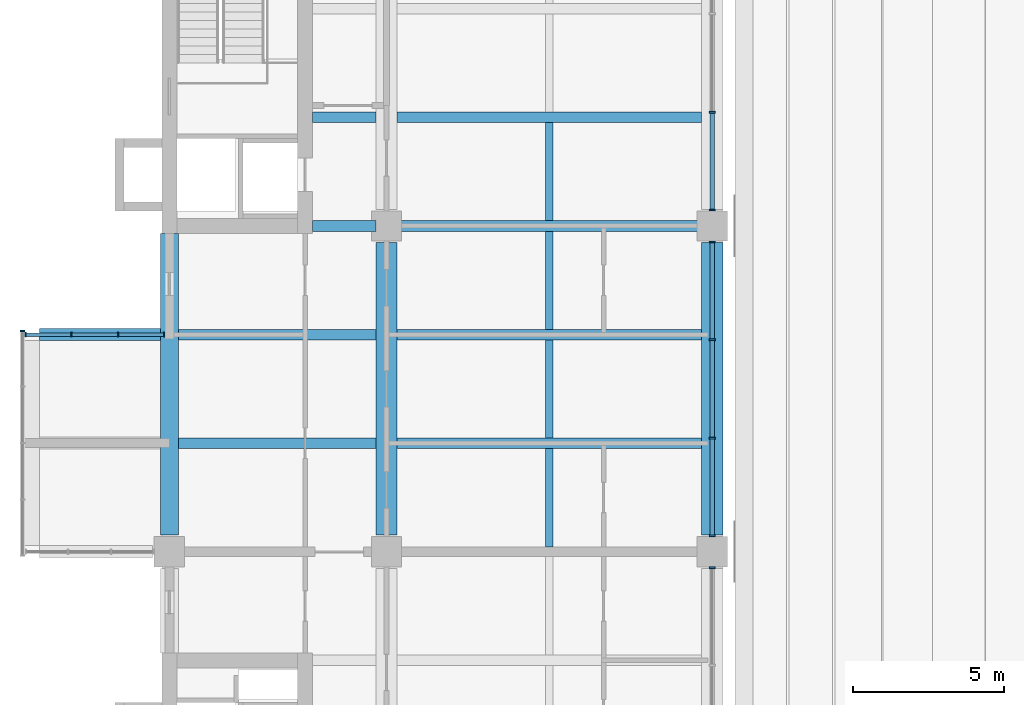
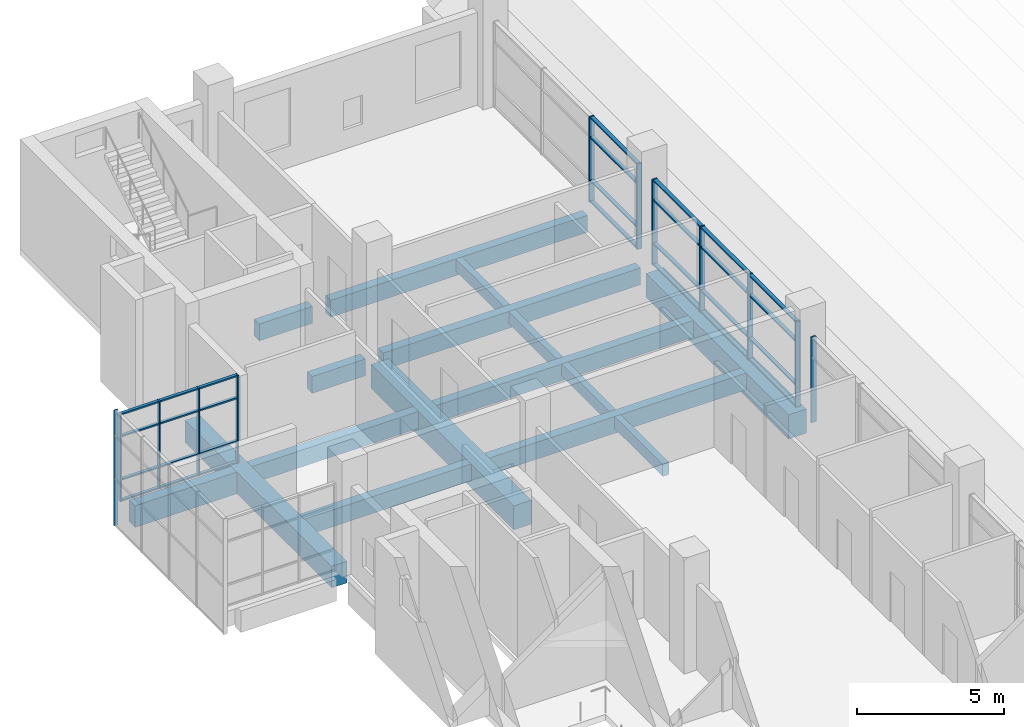
# One storey, part 11 of 45: 40 members, 16 beams, 5 elements without a shape of their own.
"""IFC4 building model written with IfcOpenShell, lengths in metres."""

from ifc_helpers import new_model, si_unit, direction, frame, origin, origin_2d, place, context, subcontext, project, spatial, rectangle, extrude, material, layer, layer_set, material_profile, profile_set, type_object, element, aggregate, save


model = new_model("IFC4")

# Units and contexts
model_context = context("Model", 3, precision=1e-05, world=origin(), true_north=direction((0.0, 1.0)))
body_context = subcontext(model_context, "Body", "Model", "MODEL_VIEW")
ifc_project = project(units=[si_unit("LENGTHUNIT", "METRE"), si_unit("AREAUNIT", "SQUARE_METRE"), si_unit("VOLUMEUNIT", "CUBIC_METRE"), si_unit("PLANEANGLEUNIT", "RADIAN"), si_unit("MASSUNIT", "GRAM", prefix="KILO")], contexts=[model_context])

# Site, building, storey
site_placement = place(None, origin())
site = spatial("IfcSite", under=ifc_project, at=site_placement, CompositionType="ELEMENT")
building_placement = place(site_placement, origin())
building = spatial("IfcBuilding", under=site, at=building_placement, Name="Basin Gate Institute", CompositionType="ELEMENT")
storey_placement = place(building_placement, frame((0.0, 0.0, 22.199951171875)))
storey = spatial("IfcBuildingStorey", under=building, at=storey_placement, Name="L04", CompositionType="ELEMENT", Elevation=22.199951171875)

# Beams
ifc_material_1 = material(Name="Concrete 40 MPa", Category="concrete")
ifc_material_profile_1 = material_profile(ifc_material_1, rectangle(XDim=0.35009765625, YDim=0.699951171875, at=origin_2d()), Name="Beam B1 350 x 700")
ifc_profile_set_1 = profile_set([ifc_material_profile_1], Name="Concrete 40 MPa")
beam_type_1 = type_object("IfcBeamType", Name="Beam B1 R120", PredefinedType="BEAM", material=ifc_profile_set_1)
beam_1_placement = place(storey_placement, frame((68.75, 81.89990234375, -0.599853515625), z_axis=(1.0, 0.0, 0.0), x_axis=(0.0, 1.0, 0.0)))
element("IfcBeam", 1, at=beam_1_placement, inside=storey, type_object=beam_type_1, material=ifc_profile_set_1, Name="BEAM/L04/W/EW/14", PredefinedType="BEAM", context=body_context, shape_type="SweptSolid", body=[
    extrude(rectangle(XDim=0.35009765625, YDim=0.699951171875, at=origin_2d()), origin(), (0.0, 0.0, 1.0), 10.10009765625),
])
beam_2_placement = place(storey_placement, frame((61.5, 81.89990234375, -0.599853515625), z_axis=(1.0, 0.0, 0.0), x_axis=(0.0, 1.0, 0.0)))
element("IfcBeam", 2, at=beam_2_placement, inside=storey, type_object=beam_type_1, material=ifc_profile_set_1, Name="BEAM/L04/W/OUT/14", PredefinedType="BEAM", context=body_context, shape_type="SweptSolid", body=[
    extrude(rectangle(XDim=0.35009765625, YDim=0.699951171875, at=origin_2d()), origin(), (0.0, 0.0, 1.0), 6.550048828125),
])
beam_3_placement = place(storey_placement, frame((68.75, 85.5, -0.599853515625), z_axis=(1.0, 0.0, 0.0), x_axis=(0.0, 1.0, 0.0)))
element("IfcBeam", 3, at=beam_3_placement, inside=storey, type_object=beam_type_1, material=ifc_profile_set_1, Name="BEAM/L04/W/EW/15", PredefinedType="BEAM", context=body_context, shape_type="SweptSolid", body=[
    extrude(rectangle(XDim=0.35009765625, YDim=0.699951171875, at=origin_2d()), origin(), (0.0, 0.0, 1.0), 10.10009765625),
])
beam_4_placement = place(storey_placement, frame((61.5, 85.5, -0.599853515625), z_axis=(1.0, 0.0, 0.0), x_axis=(0.0, 1.0, 0.0)))
element("IfcBeam", 4, at=beam_4_placement, inside=storey, type_object=beam_type_1, material=ifc_profile_set_1, Name="BEAM/L04/W/OUT/15", PredefinedType="BEAM", context=body_context, shape_type="SweptSolid", body=[
    extrude(rectangle(XDim=0.35009765625, YDim=0.699951171875, at=origin_2d()), origin(), (0.0, 0.0, 1.0), 6.550048828125),
])
beam_5_placement = place(storey_placement, frame((68.75, 89.10009765625, -0.599853515625), z_axis=(1.0, 0.0, 0.0), x_axis=(0.0, 1.0, 0.0)))
element("IfcBeam", 5, at=beam_5_placement, inside=storey, type_object=beam_type_1, material=ifc_profile_set_1, Name="BEAM/L04/W/EW/16", PredefinedType="BEAM", context=body_context, shape_type="SweptSolid", body=[
    extrude(rectangle(XDim=0.35009765625, YDim=0.699951171875, at=origin_2d()), origin(), (0.0, 0.0, 1.0), 10.10009765625),
])
beam_6_placement = place(storey_placement, frame((65.949951171875, 89.10009765625, -0.599853515625), z_axis=(1.0, 0.0, 0.0), x_axis=(0.0, 1.0, 0.0)))
element("IfcBeam", 6, at=beam_6_placement, inside=storey, type_object=beam_type_1, material=ifc_profile_set_1, Name="BEAM/L04/W/CORR/16", PredefinedType="BEAM", context=body_context, shape_type="SweptSolid", body=[
    extrude(rectangle(XDim=0.35009765625, YDim=0.699951171875, at=origin_2d()), origin(), (0.0, 0.0, 1.0), 2.10009765625),
])
beam_7_placement = place(storey_placement, frame((68.75, 92.699951171875, -0.599853515625), z_axis=(1.0, 0.0, 0.0), x_axis=(0.0, 1.0, 0.0)))
element("IfcBeam", 7, at=beam_7_placement, inside=storey, type_object=beam_type_1, material=ifc_profile_set_1, Name="BEAM/L04/W/EW/17", PredefinedType="BEAM", context=body_context, shape_type="SweptSolid", body=[
    extrude(rectangle(XDim=0.35009765625, YDim=0.699951171875, at=origin_2d()), origin(), (0.0, 0.0, 1.0), 10.10009765625),
])
beam_8_placement = place(storey_placement, frame((65.949951171875, 92.699951171875, -0.599853515625), z_axis=(1.0, 0.0, 0.0), x_axis=(0.0, 1.0, 0.0)))
element("IfcBeam", 8, at=beam_8_placement, inside=storey, type_object=beam_type_1, material=ifc_profile_set_1, Name="BEAM/L04/W/CORR/17", PredefinedType="BEAM", context=body_context, shape_type="SweptSolid", body=[
    extrude(rectangle(XDim=0.35009765625, YDim=0.699951171875, at=origin_2d()), origin(), (0.0, 0.0, 1.0), 2.10009765625),
])
ifc_material_2 = material(Name="Concrete 50 MPa", Category="concrete")
ifc_material_profile_2 = material_profile(ifc_material_2, rectangle(XDim=0.39990234375, YDim=0.89990234375, at=origin_2d()), Name="Cantilever beam B3 400 x 900")
ifc_profile_set_2 = profile_set([ifc_material_profile_2], Name="Concrete 50 MPa")
beam_type_2 = type_object("IfcBeamType", Name="Cantilever beam B3 R120", PredefinedType="BEAM", material=ifc_profile_set_2)
beam_9_placement = place(storey_placement, frame((56.89990234375, 85.5, -0.699951171875), z_axis=(1.0, 0.0, 0.0), x_axis=(0.0, 1.0, 0.0)))
element("IfcBeam", 9, at=beam_9_placement, inside=storey, type_object=beam_type_2, material=ifc_profile_set_2, Name="BEAM/L04/W/CANT/15", PredefinedType="BEAM", context=body_context, shape_type="SweptSolid", body=[
    extrude(rectangle(XDim=0.39990234375, YDim=0.89990234375, at=origin_2d()), origin(), (0.0, 0.0, 1.0), 4.0),
])
ifc_material_3 = material(Name="Concrete 50 MPa", Category="concrete")
ifc_material_profile_3 = material_profile(ifc_material_3, rectangle(XDim=0.60009765625, YDim=0.89990234375, at=origin_2d()), Name="Edge beam EB1 600 x 900")
ifc_profile_set_3 = profile_set([ifc_material_profile_3], Name="Concrete 50 MPa")
beam_type_3 = type_object("IfcBeamType", Name="Edge beam EB1 R120", PredefinedType="SPANDREL", material=ifc_profile_set_3)
beam_10_placement = place(storey_placement, frame((61.199951171875, 78.85009765625, -0.699951171875), z_axis=(0.0, 1.0, 0.0), x_axis=(-1.0, 0.0, 0.0)))
element("IfcBeam", 10, at=beam_10_placement, inside=storey, type_object=beam_type_3, material=ifc_profile_set_3, Name="BEAM/L04/W/EDGE/4", PredefinedType="SPANDREL", context=body_context, shape_type="SweptSolid", body=[
    extrude(rectangle(XDim=0.60009765625, YDim=0.89990234375, at=origin_2d()), origin(), (0.0, 0.0, 1.0), 10.0),
])
ifc_material_4 = material(Name="Concrete 50 MPa", Category="concrete")
ifc_material_profile_4 = material_profile(ifc_material_4, rectangle(XDim=0.699951171875, YDim=1.0, at=origin_2d()), Name="Girder G1 700 x 1000")
ifc_profile_set_4 = profile_set([ifc_material_profile_4], Name="Concrete 50 MPa")
beam_type_4 = type_object("IfcBeamType", Name="Girder G1 R120", PredefinedType="BEAM", material=ifc_profile_set_4)
for number, where, z_axis, x_axis, name in (
    (11, (68.39990234375, 78.85009765625, -0.75), (0.0, 1.0, 0.0), (-1.0, 0.0, 0.0), "GIR/L04/W5/5"),
    (12, (79.199951171875, 78.85009765625, -0.75), (0.0, 1.0, 0.0), (-1.0, 0.0, 0.0), "GIR/L04/W6/5"),
):
    element("IfcBeam", number, at=place(storey_placement, frame(where, z_axis=z_axis, x_axis=x_axis)), inside=storey, type_object=beam_type_4, material=ifc_profile_set_4, Name=name, PredefinedType="BEAM", context=body_context, shape_type="SweptSolid", body=[
        extrude(rectangle(XDim=0.699951171875, YDim=1.0, at=origin_2d()), origin(), (0.0, 0.0, 1.0), 9.699951171875),
    ])

# Curtain wall, members
ifc_material_5 = material(Name="Aluminium-framed glazing", Category="aluminium")
ifc_layer_1 = layer(ifc_material_5, 0.14990234375)
ifc_layer_set_1 = layer_set([ifc_layer_1], Name="Capsule front curtain wall CW1")
curtain_wall_type_1 = type_object("IfcCurtainWallType", Name="Capsule front curtain wall CW1", PredefinedType="NOTDEFINED", material=ifc_layer_set_1)
curtain_wall_1_placement = place(storey_placement, origin())
curtain_wall_1 = element("IfcCurtainWall", 13, at=curtain_wall_1_placement, inside=storey, type_object=curtain_wall_type_1, material=ifc_layer_set_1, Name="Capsule front curtain wall W wing capsule end L04 line 15", PredefinedType="NOTDEFINED")
ifc_material_6 = material(Name="Aluminium", Category="aluminium")
ifc_material_profile_5 = material_profile(ifc_material_6, rectangle(XDim=0.14990234375, YDim=0.050048828125, at=origin_2d()), Name="Mullion MU1 150 x 50")
ifc_profile_set_5 = profile_set([ifc_material_profile_5], Name="Aluminium")
member_type_1 = type_object("IfcMemberType", Name="Mullion MU1", PredefinedType="MULLION", material=ifc_profile_set_5)
member_1_placement = place(storey_placement, frame((56.425048828125, 85.5, 0.0), z_axis=(0.0, 0.0, 1.0), x_axis=(0.0, 1.0, 0.0)))
member_1 = element("IfcMember", 14, at=member_1_placement, type_object=member_type_1, material=ifc_profile_set_5, Name="CW1 mullion 1", PredefinedType="MULLION", context=body_context, shape_type="SweptSolid", body=[
    extrude(rectangle(XDim=0.14990234375, YDim=0.050048828125, at=origin_2d()), origin(), (0.0, 0.0, 1.0), 3.650146484375),
])
member_2_placement = place(storey_placement, frame((57.949951171875, 85.5, 0.0), z_axis=(0.0, 0.0, 1.0), x_axis=(0.0, 1.0, 0.0)))
member_2 = element("IfcMember", 15, at=member_2_placement, type_object=member_type_1, material=ifc_profile_set_5, Name="CW1 mullion 2", PredefinedType="MULLION", context=body_context, shape_type="SweptSolid", body=[
    extrude(rectangle(XDim=0.14990234375, YDim=0.050048828125, at=origin_2d()), origin(), (0.0, 0.0, 1.0), 3.650146484375),
])
member_3_placement = place(storey_placement, frame((59.5, 85.5, 0.0), z_axis=(0.0, 0.0, 1.0), x_axis=(0.0, 1.0, 0.0)))
member_3 = element("IfcMember", 16, at=member_3_placement, type_object=member_type_1, material=ifc_profile_set_5, Name="CW1 mullion 3", PredefinedType="MULLION", context=body_context, shape_type="SweptSolid", body=[
    extrude(rectangle(XDim=0.14990234375, YDim=0.050048828125, at=origin_2d()), origin(), (0.0, 0.0, 1.0), 3.650146484375),
])
member_4_placement = place(storey_placement, frame((61.02490234375, 85.5, 0.0), z_axis=(0.0, 0.0, 1.0), x_axis=(0.0, 1.0, 0.0)))
member_4 = element("IfcMember", 17, at=member_4_placement, type_object=member_type_1, material=ifc_profile_set_5, Name="CW1 mullion 4", PredefinedType="MULLION", context=body_context, shape_type="SweptSolid", body=[
    extrude(rectangle(XDim=0.14990234375, YDim=0.050048828125, at=origin_2d()), origin(), (0.0, 0.0, 1.0), 3.650146484375),
])

# Curtain wall, member
curtain_wall_2_placement = place(storey_placement, origin())
curtain_wall_2 = element("IfcCurtainWall", 18, at=curtain_wall_2_placement, inside=storey, type_object=curtain_wall_type_1, material=ifc_layer_set_1, Name="Capsule front curtain wall W wing capsule 2 L04 front 2", PredefinedType="NOTDEFINED")
member_5_placement = place(storey_placement, frame((56.324951171875, 85.625, -1.050048828125), z_axis=(0.0, 0.0, 1.0), x_axis=(-1.0, 0.0, 0.0)))
member_5 = element("IfcMember", 19, at=member_5_placement, type_object=member_type_1, material=ifc_profile_set_5, Name="CW1 mullion 5", PredefinedType="MULLION", context=body_context, shape_type="SweptSolid", body=[
    extrude(rectangle(XDim=0.14990234375, YDim=0.050048828125, at=origin_2d()), origin(), (0.0, 0.0, 1.0), 4.800048828125),
])
aggregate(curtain_wall_2, [member_5])

ifc_material_7 = material(Name="Aluminium-framed glazing", Category="aluminium")
ifc_layer_2 = layer(ifc_material_7, 0.199951171875)
ifc_layer_set_2 = layer_set([ifc_layer_2], Name="Atrium curtain wall CW2")
curtain_wall_type_2 = type_object("IfcCurtainWallType", Name="Atrium curtain wall CW2", PredefinedType="NOTDEFINED", material=ifc_layer_set_2)
curtain_wall_3_placement = place(storey_placement, origin())
curtain_wall_3 = element("IfcCurtainWall", 20, at=curtain_wall_3_placement, inside=storey, type_object=curtain_wall_type_2, material=ifc_layer_set_2, Name="Atrium curtain wall W wing atrium bay 4 L04", PredefinedType="NOTDEFINED")
ifc_material_8 = material(Name="Aluminium", Category="aluminium")
ifc_material_profile_6 = material_profile(ifc_material_8, rectangle(XDim=0.199951171875, YDim=0.06005859375, at=origin_2d()), Name="Mullion MU2 200 x 60")
ifc_profile_set_6 = profile_set([ifc_material_profile_6], Name="Aluminium")
member_type_2 = type_object("IfcMemberType", Name="Mullion MU2", PredefinedType="MULLION", material=ifc_profile_set_6)
member_6_placement = place(storey_placement, frame((79.199951171875, 77.77001953125, 0.0), z_axis=(0.0, 0.0, 1.0), x_axis=(-1.0, 0.0, 0.0)))
member_6 = element("IfcMember", 21, at=member_6_placement, type_object=member_type_2, material=ifc_profile_set_6, Name="CW2 mullion 4", PredefinedType="MULLION", context=body_context, shape_type="SweptSolid", body=[
    extrude(rectangle(XDim=0.199951171875, YDim=0.06005859375, at=origin_2d()), origin(), (0.0, 0.0, 1.0), 3.550048828125),
])
aggregate(curtain_wall_3, [member_6])

# Curtain wall, members
curtain_wall_4_placement = place(storey_placement, origin())
curtain_wall_4 = element("IfcCurtainWall", 22, at=curtain_wall_4_placement, inside=storey, type_object=curtain_wall_type_2, material=ifc_layer_set_2, Name="Atrium curtain wall W wing atrium bay 5 L04", PredefinedType="NOTDEFINED")
member_7_placement = place(storey_placement, frame((79.199951171875, 78.830078125, 0.0), z_axis=(0.0, 0.0, 1.0), x_axis=(-1.0, 0.0, 0.0)))
member_7 = element("IfcMember", 23, at=member_7_placement, type_object=member_type_2, material=ifc_profile_set_6, Name="CW2 mullion 1", PredefinedType="MULLION", context=body_context, shape_type="SweptSolid", body=[
    extrude(rectangle(XDim=0.199951171875, YDim=0.06005859375, at=origin_2d()), origin(), (0.0, 0.0, 1.0), 3.550048828125),
])
member_8_placement = place(storey_placement, frame((79.199951171875, 82.066650390625, 0.0), z_axis=(0.0, 0.0, 1.0), x_axis=(-1.0, 0.0, 0.0)))
member_8 = element("IfcMember", 24, at=member_8_placement, type_object=member_type_2, material=ifc_profile_set_6, Name="CW2 mullion 2", PredefinedType="MULLION", context=body_context, shape_type="SweptSolid", body=[
    extrude(rectangle(XDim=0.199951171875, YDim=0.06005859375, at=origin_2d()), origin(), (0.0, 0.0, 1.0), 3.550048828125),
])
member_9_placement = place(storey_placement, frame((79.199951171875, 85.333251953125, 0.0), z_axis=(0.0, 0.0, 1.0), x_axis=(-1.0, 0.0, 0.0)))
member_9 = element("IfcMember", 25, at=member_9_placement, type_object=member_type_2, material=ifc_profile_set_6, Name="CW2 mullion 3", PredefinedType="MULLION", context=body_context, shape_type="SweptSolid", body=[
    extrude(rectangle(XDim=0.199951171875, YDim=0.06005859375, at=origin_2d()), origin(), (0.0, 0.0, 1.0), 3.550048828125),
])
member_10_placement = place(storey_placement, frame((79.199951171875, 88.570068359375, 0.0), z_axis=(0.0, 0.0, 1.0), x_axis=(-1.0, 0.0, 0.0)))
member_10 = element("IfcMember", 26, at=member_10_placement, type_object=member_type_2, material=ifc_profile_set_6, Name="CW2 mullion 4", PredefinedType="MULLION", context=body_context, shape_type="SweptSolid", body=[
    extrude(rectangle(XDim=0.199951171875, YDim=0.06005859375, at=origin_2d()), origin(), (0.0, 0.0, 1.0), 3.550048828125),
])

curtain_wall_5_placement = place(storey_placement, origin())
curtain_wall_5 = element("IfcCurtainWall", 27, at=curtain_wall_5_placement, inside=storey, type_object=curtain_wall_type_2, material=ifc_layer_set_2, Name="Atrium curtain wall W wing atrium bay 6 L04", PredefinedType="NOTDEFINED")
member_11_placement = place(storey_placement, frame((79.199951171875, 89.6298828125, 0.0), z_axis=(0.0, 0.0, 1.0), x_axis=(-1.0, 0.0, 0.0)))
member_11 = element("IfcMember", 28, at=member_11_placement, type_object=member_type_2, material=ifc_profile_set_6, Name="CW2 mullion 1", PredefinedType="MULLION", context=body_context, shape_type="SweptSolid", body=[
    extrude(rectangle(XDim=0.199951171875, YDim=0.06005859375, at=origin_2d()), origin(), (0.0, 0.0, 1.0), 3.550048828125),
])
member_12_placement = place(storey_placement, frame((79.199951171875, 92.86669921875, 0.0), z_axis=(0.0, 0.0, 1.0), x_axis=(-1.0, 0.0, 0.0)))
member_12 = element("IfcMember", 29, at=member_12_placement, type_object=member_type_2, material=ifc_profile_set_6, Name="CW2 mullion 2", PredefinedType="MULLION", context=body_context, shape_type="SweptSolid", body=[
    extrude(rectangle(XDim=0.199951171875, YDim=0.06005859375, at=origin_2d()), origin(), (0.0, 0.0, 1.0), 3.550048828125),
])

# Beams
ifc_material_9 = material(Name="Concrete 40 MPa", Category="concrete")
ifc_material_profile_7 = material_profile(ifc_material_9, rectangle(XDim=0.25, YDim=0.5, at=origin_2d()), Name="Rib R1 250 x 500")
ifc_profile_set_7 = profile_set([ifc_material_profile_7], Name="Concrete 40 MPa")
beam_type_5 = type_object("IfcBeamType", Name="Rib R1 R120", PredefinedType="JOIST", material=ifc_profile_set_7)
beam_11_placement = place(storey_placement, frame((73.800048828125, 78.449951171875, -0.5), z_axis=(0.0, 1.0, 0.0), x_axis=(-1.0, 0.0, 0.0)))
element("IfcBeam", 30, at=beam_11_placement, inside=storey, type_object=beam_type_5, material=ifc_profile_set_7, Name="BEAM/L04/W/RIB/13", PredefinedType="JOIST", context=body_context, shape_type="SweptSolid", body=[
    extrude(rectangle(XDim=0.25, YDim=0.5, at=origin_2d()), origin(), (0.0, 0.0, 1.0), 3.275146484375),
])
for number, where, z_axis, x_axis, name in (
    (31, (73.800048828125, 82.074951171875, -0.5), (0.0, 1.0, 0.0), (-1.0, 0.0, 0.0), "BEAM/L04/W/RIB/14"),
    (32, (73.800048828125, 85.675048828125, -0.5), (0.0, 1.0, 0.0), (-1.0, 0.0, 0.0), "BEAM/L04/W/RIB/15"),
    (33, (73.800048828125, 89.27490234375, -0.5), (0.0, 1.0, 0.0), (-1.0, 0.0, 0.0), "BEAM/L04/W/RIB/16"),
):
    element("IfcBeam", number, at=place(storey_placement, frame(where, z_axis=z_axis, x_axis=x_axis)), inside=storey, type_object=beam_type_5, material=ifc_profile_set_7, Name=name, PredefinedType="JOIST", context=body_context, shape_type="SweptSolid", body=[
        extrude(rectangle(XDim=0.25, YDim=0.5, at=origin_2d()), origin(), (0.0, 0.0, 1.0), 3.25),
    ])

# Member
ifc_material_10 = material(Name="Aluminium", Category="aluminium")
ifc_material_profile_8 = material_profile(ifc_material_10, rectangle(XDim=0.1201171875, YDim=0.06005859375, at=origin_2d()), Name="Transom TR1 120 x 60")
ifc_profile_set_8 = profile_set([ifc_material_profile_8], Name="Aluminium")
member_type_3 = type_object("IfcMemberType", Name="Transom TR1", PredefinedType="USERDEFINED", material=ifc_profile_set_8)
member_13_placement = place(storey_placement, frame((56.449951171875, 85.5, 0.030029296875), z_axis=(1.0, 0.0, 0.0), x_axis=(0.0, 1.0, 0.0)))
member_13 = element("IfcMember", 34, at=member_13_placement, type_object=member_type_3, material=ifc_profile_set_8, Name="CW1 transom 1.1", ObjectType="TRANSOM", PredefinedType="USERDEFINED", context=body_context, shape_type="SweptSolid", body=[
    extrude(rectangle(XDim=0.1201171875, YDim=0.06005859375, at=origin_2d()), origin(), (0.0, 0.0, 1.0), 1.47509765625),
])

member_14_placement = place(storey_placement, frame((56.449951171875, 85.5, 0.900146484375), z_axis=(1.0, 0.0, 0.0), x_axis=(0.0, 1.0, 0.0)))
member_14 = element("IfcMember", 35, at=member_14_placement, type_object=member_type_3, material=ifc_profile_set_8, Name="CW1 transom 1.2", ObjectType="TRANSOM", PredefinedType="USERDEFINED", context=body_context, shape_type="SweptSolid", body=[
    extrude(rectangle(XDim=0.1201171875, YDim=0.06005859375, at=origin_2d()), origin(), (0.0, 0.0, 1.0), 1.47509765625),
])

member_15_placement = place(storey_placement, frame((56.449951171875, 85.5, 2.699951171875), z_axis=(1.0, 0.0, 0.0), x_axis=(0.0, 1.0, 0.0)))
member_15 = element("IfcMember", 36, at=member_15_placement, type_object=member_type_3, material=ifc_profile_set_8, Name="CW1 transom 1.3", ObjectType="TRANSOM", PredefinedType="USERDEFINED", context=body_context, shape_type="SweptSolid", body=[
    extrude(rectangle(XDim=0.1201171875, YDim=0.06005859375, at=origin_2d()), origin(), (0.0, 0.0, 1.0), 1.47509765625),
])

member_16_placement = place(storey_placement, frame((56.449951171875, 85.5, 3.6201171875), z_axis=(1.0, 0.0, 0.0), x_axis=(0.0, 1.0, 0.0)))
member_16 = element("IfcMember", 37, at=member_16_placement, type_object=member_type_3, material=ifc_profile_set_8, Name="CW1 transom 1.4", ObjectType="TRANSOM", PredefinedType="USERDEFINED", context=body_context, shape_type="SweptSolid", body=[
    extrude(rectangle(XDim=0.1201171875, YDim=0.06005859375, at=origin_2d()), origin(), (0.0, 0.0, 1.0), 1.47509765625),
])

member_17_placement = place(storey_placement, frame((57.97509765625, 85.5, 0.030029296875), z_axis=(1.0, 0.0, 0.0), x_axis=(0.0, 1.0, 0.0)))
member_17 = element("IfcMember", 38, at=member_17_placement, type_object=member_type_3, material=ifc_profile_set_8, Name="CW1 transom 2.1", ObjectType="TRANSOM", PredefinedType="USERDEFINED", context=body_context, shape_type="SweptSolid", body=[
    extrude(rectangle(XDim=0.1201171875, YDim=0.06005859375, at=origin_2d()), origin(), (0.0, 0.0, 1.0), 1.5),
])

member_18_placement = place(storey_placement, frame((57.97509765625, 85.5, 0.900146484375), z_axis=(1.0, 0.0, 0.0), x_axis=(0.0, 1.0, 0.0)))
member_18 = element("IfcMember", 39, at=member_18_placement, type_object=member_type_3, material=ifc_profile_set_8, Name="CW1 transom 2.2", ObjectType="TRANSOM", PredefinedType="USERDEFINED", context=body_context, shape_type="SweptSolid", body=[
    extrude(rectangle(XDim=0.1201171875, YDim=0.06005859375, at=origin_2d()), origin(), (0.0, 0.0, 1.0), 1.5),
])

member_19_placement = place(storey_placement, frame((57.97509765625, 85.5, 2.699951171875), z_axis=(1.0, 0.0, 0.0), x_axis=(0.0, 1.0, 0.0)))
member_19 = element("IfcMember", 40, at=member_19_placement, type_object=member_type_3, material=ifc_profile_set_8, Name="CW1 transom 2.3", ObjectType="TRANSOM", PredefinedType="USERDEFINED", context=body_context, shape_type="SweptSolid", body=[
    extrude(rectangle(XDim=0.1201171875, YDim=0.06005859375, at=origin_2d()), origin(), (0.0, 0.0, 1.0), 1.5),
])

member_20_placement = place(storey_placement, frame((57.97509765625, 85.5, 3.6201171875), z_axis=(1.0, 0.0, 0.0), x_axis=(0.0, 1.0, 0.0)))
member_20 = element("IfcMember", 41, at=member_20_placement, type_object=member_type_3, material=ifc_profile_set_8, Name="CW1 transom 2.4", ObjectType="TRANSOM", PredefinedType="USERDEFINED", context=body_context, shape_type="SweptSolid", body=[
    extrude(rectangle(XDim=0.1201171875, YDim=0.06005859375, at=origin_2d()), origin(), (0.0, 0.0, 1.0), 1.5),
])

member_21_placement = place(storey_placement, frame((59.52490234375, 85.5, 0.030029296875), z_axis=(1.0, 0.0, 0.0), x_axis=(0.0, 1.0, 0.0)))
member_21 = element("IfcMember", 42, at=member_21_placement, type_object=member_type_3, material=ifc_profile_set_8, Name="CW1 transom 3.1", ObjectType="TRANSOM", PredefinedType="USERDEFINED", context=body_context, shape_type="SweptSolid", body=[
    extrude(rectangle(XDim=0.1201171875, YDim=0.06005859375, at=origin_2d()), origin(), (0.0, 0.0, 1.0), 1.47509765625),
])

member_22_placement = place(storey_placement, frame((59.52490234375, 85.5, 0.900146484375), z_axis=(1.0, 0.0, 0.0), x_axis=(0.0, 1.0, 0.0)))
member_22 = element("IfcMember", 43, at=member_22_placement, type_object=member_type_3, material=ifc_profile_set_8, Name="CW1 transom 3.2", ObjectType="TRANSOM", PredefinedType="USERDEFINED", context=body_context, shape_type="SweptSolid", body=[
    extrude(rectangle(XDim=0.1201171875, YDim=0.06005859375, at=origin_2d()), origin(), (0.0, 0.0, 1.0), 1.47509765625),
])

member_23_placement = place(storey_placement, frame((59.52490234375, 85.5, 2.699951171875), z_axis=(1.0, 0.0, 0.0), x_axis=(0.0, 1.0, 0.0)))
member_23 = element("IfcMember", 44, at=member_23_placement, type_object=member_type_3, material=ifc_profile_set_8, Name="CW1 transom 3.3", ObjectType="TRANSOM", PredefinedType="USERDEFINED", context=body_context, shape_type="SweptSolid", body=[
    extrude(rectangle(XDim=0.1201171875, YDim=0.06005859375, at=origin_2d()), origin(), (0.0, 0.0, 1.0), 1.47509765625),
])

member_24_placement = place(storey_placement, frame((59.52490234375, 85.5, 3.6201171875), z_axis=(1.0, 0.0, 0.0), x_axis=(0.0, 1.0, 0.0)))
member_24 = element("IfcMember", 45, at=member_24_placement, type_object=member_type_3, material=ifc_profile_set_8, Name="CW1 transom 3.4", ObjectType="TRANSOM", PredefinedType="USERDEFINED", context=body_context, shape_type="SweptSolid", body=[
    extrude(rectangle(XDim=0.1201171875, YDim=0.06005859375, at=origin_2d()), origin(), (0.0, 0.0, 1.0), 1.47509765625),
])

aggregate(curtain_wall_1, [member_1, member_2, member_3, member_4, member_13, member_14, member_15, member_16, member_17, member_18, member_19, member_20, member_21, member_22, member_23, member_24])

ifc_material_11 = material(Name="Aluminium", Category="aluminium")
ifc_material_profile_9 = material_profile(ifc_material_11, rectangle(XDim=0.14990234375, YDim=0.06005859375, at=origin_2d()), Name="Transom TR2 150 x 60")
ifc_profile_set_9 = profile_set([ifc_material_profile_9], Name="Aluminium")
member_type_4 = type_object("IfcMemberType", Name="Transom TR2", PredefinedType="USERDEFINED", material=ifc_profile_set_9)
member_25_placement = place(storey_placement, frame((79.199951171875, 78.860107421875, 0.030029296875), z_axis=(0.0, 1.0, 0.0), x_axis=(-1.0, 0.0, 0.0)))
member_25 = element("IfcMember", 46, at=member_25_placement, type_object=member_type_4, material=ifc_profile_set_9, Name="CW2 transom 1.1", ObjectType="TRANSOM", PredefinedType="USERDEFINED", context=body_context, shape_type="SweptSolid", body=[
    extrude(rectangle(XDim=0.14990234375, YDim=0.06005859375, at=origin_2d()), origin(), (0.0, 0.0, 1.0), 3.176513671875),
])

member_26_placement = place(storey_placement, frame((79.199951171875, 78.860107421875, 0.900146484375), z_axis=(0.0, 1.0, 0.0), x_axis=(-1.0, 0.0, 0.0)))
member_26 = element("IfcMember", 47, at=member_26_placement, type_object=member_type_4, material=ifc_profile_set_9, Name="CW2 transom 1.2", ObjectType="TRANSOM", PredefinedType="USERDEFINED", context=body_context, shape_type="SweptSolid", body=[
    extrude(rectangle(XDim=0.14990234375, YDim=0.06005859375, at=origin_2d()), origin(), (0.0, 0.0, 1.0), 3.176513671875),
])

member_27_placement = place(storey_placement, frame((79.199951171875, 78.860107421875, 2.699951171875), z_axis=(0.0, 1.0, 0.0), x_axis=(-1.0, 0.0, 0.0)))
member_27 = element("IfcMember", 48, at=member_27_placement, type_object=member_type_4, material=ifc_profile_set_9, Name="CW2 transom 1.3", ObjectType="TRANSOM", PredefinedType="USERDEFINED", context=body_context, shape_type="SweptSolid", body=[
    extrude(rectangle(XDim=0.14990234375, YDim=0.06005859375, at=origin_2d()), origin(), (0.0, 0.0, 1.0), 3.176513671875),
])

member_28_placement = place(storey_placement, frame((79.199951171875, 78.860107421875, 3.52001953125), z_axis=(0.0, 1.0, 0.0), x_axis=(-1.0, 0.0, 0.0)))
member_28 = element("IfcMember", 49, at=member_28_placement, type_object=member_type_4, material=ifc_profile_set_9, Name="CW2 transom 1.4", ObjectType="TRANSOM", PredefinedType="USERDEFINED", context=body_context, shape_type="SweptSolid", body=[
    extrude(rectangle(XDim=0.14990234375, YDim=0.06005859375, at=origin_2d()), origin(), (0.0, 0.0, 1.0), 3.176513671875),
])

member_29_placement = place(storey_placement, frame((79.199951171875, 82.0966796875, 0.030029296875), z_axis=(0.0, 1.0, 0.0), x_axis=(-1.0, 0.0, 0.0)))
member_29 = element("IfcMember", 50, at=member_29_placement, type_object=member_type_4, material=ifc_profile_set_9, Name="CW2 transom 2.1", ObjectType="TRANSOM", PredefinedType="USERDEFINED", context=body_context, shape_type="SweptSolid", body=[
    extrude(rectangle(XDim=0.14990234375, YDim=0.06005859375, at=origin_2d()), origin(), (0.0, 0.0, 1.0), 3.20654296875),
])

member_30_placement = place(storey_placement, frame((79.199951171875, 82.0966796875, 0.900146484375), z_axis=(0.0, 1.0, 0.0), x_axis=(-1.0, 0.0, 0.0)))
member_30 = element("IfcMember", 51, at=member_30_placement, type_object=member_type_4, material=ifc_profile_set_9, Name="CW2 transom 2.2", ObjectType="TRANSOM", PredefinedType="USERDEFINED", context=body_context, shape_type="SweptSolid", body=[
    extrude(rectangle(XDim=0.14990234375, YDim=0.06005859375, at=origin_2d()), origin(), (0.0, 0.0, 1.0), 3.20654296875),
])

member_31_placement = place(storey_placement, frame((79.199951171875, 82.0966796875, 2.699951171875), z_axis=(0.0, 1.0, 0.0), x_axis=(-1.0, 0.0, 0.0)))
member_31 = element("IfcMember", 52, at=member_31_placement, type_object=member_type_4, material=ifc_profile_set_9, Name="CW2 transom 2.3", ObjectType="TRANSOM", PredefinedType="USERDEFINED", context=body_context, shape_type="SweptSolid", body=[
    extrude(rectangle(XDim=0.14990234375, YDim=0.06005859375, at=origin_2d()), origin(), (0.0, 0.0, 1.0), 3.20654296875),
])

member_32_placement = place(storey_placement, frame((79.199951171875, 82.0966796875, 3.52001953125), z_axis=(0.0, 1.0, 0.0), x_axis=(-1.0, 0.0, 0.0)))
member_32 = element("IfcMember", 53, at=member_32_placement, type_object=member_type_4, material=ifc_profile_set_9, Name="CW2 transom 2.4", ObjectType="TRANSOM", PredefinedType="USERDEFINED", context=body_context, shape_type="SweptSolid", body=[
    extrude(rectangle(XDim=0.14990234375, YDim=0.06005859375, at=origin_2d()), origin(), (0.0, 0.0, 1.0), 3.20654296875),
])

member_33_placement = place(storey_placement, frame((79.199951171875, 85.36328125, 0.030029296875), z_axis=(0.0, 1.0, 0.0), x_axis=(-1.0, 0.0, 0.0)))
member_33 = element("IfcMember", 54, at=member_33_placement, type_object=member_type_4, material=ifc_profile_set_9, Name="CW2 transom 3.1", ObjectType="TRANSOM", PredefinedType="USERDEFINED", context=body_context, shape_type="SweptSolid", body=[
    extrude(rectangle(XDim=0.14990234375, YDim=0.06005859375, at=origin_2d()), origin(), (0.0, 0.0, 1.0), 3.1767578125),
])

member_34_placement = place(storey_placement, frame((79.199951171875, 85.36328125, 0.900146484375), z_axis=(0.0, 1.0, 0.0), x_axis=(-1.0, 0.0, 0.0)))
member_34 = element("IfcMember", 55, at=member_34_placement, type_object=member_type_4, material=ifc_profile_set_9, Name="CW2 transom 3.2", ObjectType="TRANSOM", PredefinedType="USERDEFINED", context=body_context, shape_type="SweptSolid", body=[
    extrude(rectangle(XDim=0.14990234375, YDim=0.06005859375, at=origin_2d()), origin(), (0.0, 0.0, 1.0), 3.1767578125),
])

member_35_placement = place(storey_placement, frame((79.199951171875, 85.36328125, 2.699951171875), z_axis=(0.0, 1.0, 0.0), x_axis=(-1.0, 0.0, 0.0)))
member_35 = element("IfcMember", 56, at=member_35_placement, type_object=member_type_4, material=ifc_profile_set_9, Name="CW2 transom 3.3", ObjectType="TRANSOM", PredefinedType="USERDEFINED", context=body_context, shape_type="SweptSolid", body=[
    extrude(rectangle(XDim=0.14990234375, YDim=0.06005859375, at=origin_2d()), origin(), (0.0, 0.0, 1.0), 3.1767578125),
])

member_36_placement = place(storey_placement, frame((79.199951171875, 85.36328125, 3.52001953125), z_axis=(0.0, 1.0, 0.0), x_axis=(-1.0, 0.0, 0.0)))
member_36 = element("IfcMember", 57, at=member_36_placement, type_object=member_type_4, material=ifc_profile_set_9, Name="CW2 transom 3.4", ObjectType="TRANSOM", PredefinedType="USERDEFINED", context=body_context, shape_type="SweptSolid", body=[
    extrude(rectangle(XDim=0.14990234375, YDim=0.06005859375, at=origin_2d()), origin(), (0.0, 0.0, 1.0), 3.1767578125),
])

aggregate(curtain_wall_4, [member_7, member_8, member_9, member_10, member_25, member_26, member_27, member_28, member_29, member_30, member_31, member_32, member_33, member_34, member_35, member_36])

member_37_placement = place(storey_placement, frame((79.199951171875, 89.659912109375, 0.030029296875), z_axis=(0.0, 1.0, 0.0), x_axis=(-1.0, 0.0, 0.0)))
member_37 = element("IfcMember", 58, at=member_37_placement, type_object=member_type_4, material=ifc_profile_set_9, Name="CW2 transom 1.1", ObjectType="TRANSOM", PredefinedType="USERDEFINED", context=body_context, shape_type="SweptSolid", body=[
    extrude(rectangle(XDim=0.14990234375, YDim=0.06005859375, at=origin_2d()), origin(), (0.0, 0.0, 1.0), 3.1767578125),
])

member_38_placement = place(storey_placement, frame((79.199951171875, 89.659912109375, 0.900146484375), z_axis=(0.0, 1.0, 0.0), x_axis=(-1.0, 0.0, 0.0)))
member_38 = element("IfcMember", 59, at=member_38_placement, type_object=member_type_4, material=ifc_profile_set_9, Name="CW2 transom 1.2", ObjectType="TRANSOM", PredefinedType="USERDEFINED", context=body_context, shape_type="SweptSolid", body=[
    extrude(rectangle(XDim=0.14990234375, YDim=0.06005859375, at=origin_2d()), origin(), (0.0, 0.0, 1.0), 3.1767578125),
])

member_39_placement = place(storey_placement, frame((79.199951171875, 89.659912109375, 2.699951171875), z_axis=(0.0, 1.0, 0.0), x_axis=(-1.0, 0.0, 0.0)))
member_39 = element("IfcMember", 60, at=member_39_placement, type_object=member_type_4, material=ifc_profile_set_9, Name="CW2 transom 1.3", ObjectType="TRANSOM", PredefinedType="USERDEFINED", context=body_context, shape_type="SweptSolid", body=[
    extrude(rectangle(XDim=0.14990234375, YDim=0.06005859375, at=origin_2d()), origin(), (0.0, 0.0, 1.0), 3.1767578125),
])

member_40_placement = place(storey_placement, frame((79.199951171875, 89.659912109375, 3.52001953125), z_axis=(0.0, 1.0, 0.0), x_axis=(-1.0, 0.0, 0.0)))
member_40 = element("IfcMember", 61, at=member_40_placement, type_object=member_type_4, material=ifc_profile_set_9, Name="CW2 transom 1.4", ObjectType="TRANSOM", PredefinedType="USERDEFINED", context=body_context, shape_type="SweptSolid", body=[
    extrude(rectangle(XDim=0.14990234375, YDim=0.06005859375, at=origin_2d()), origin(), (0.0, 0.0, 1.0), 3.1767578125),
])

aggregate(curtain_wall_5, [member_11, member_12, member_37, member_38, member_39, member_40])

save(model, "model.ifc")
